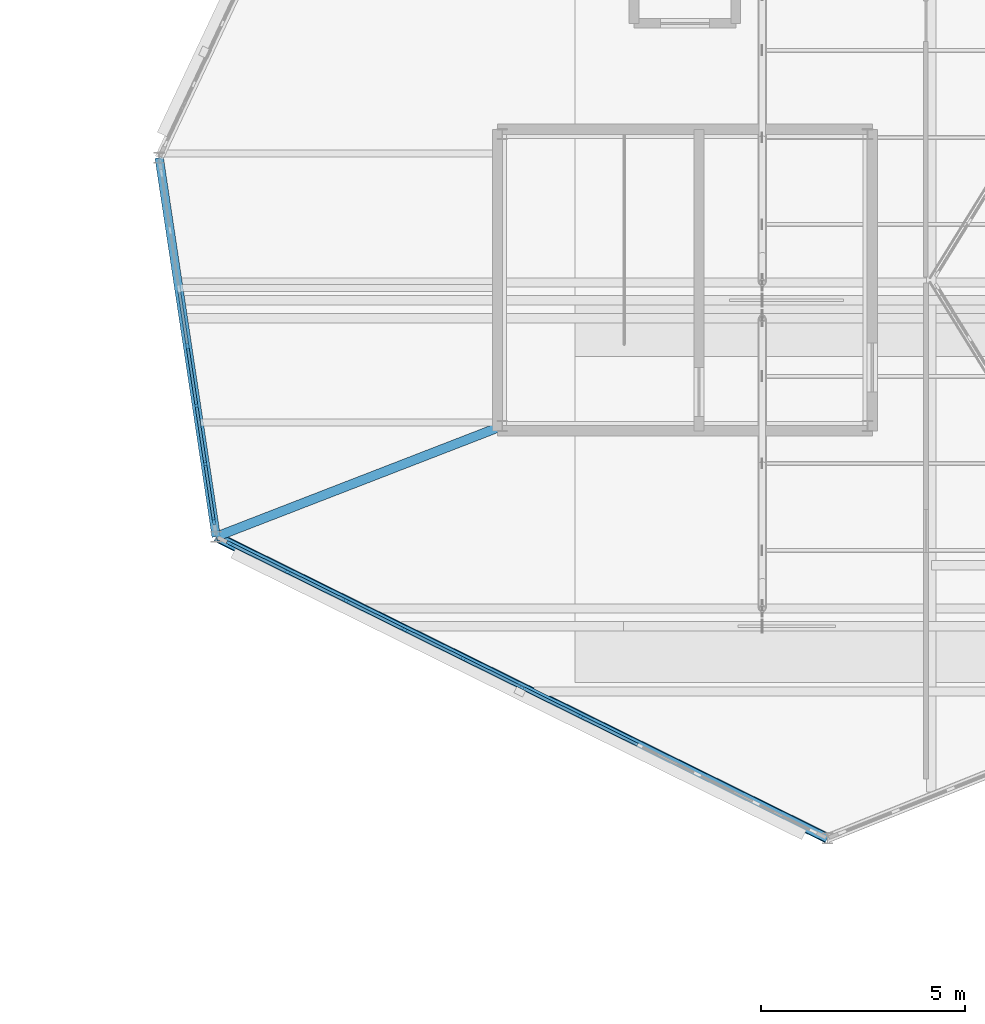
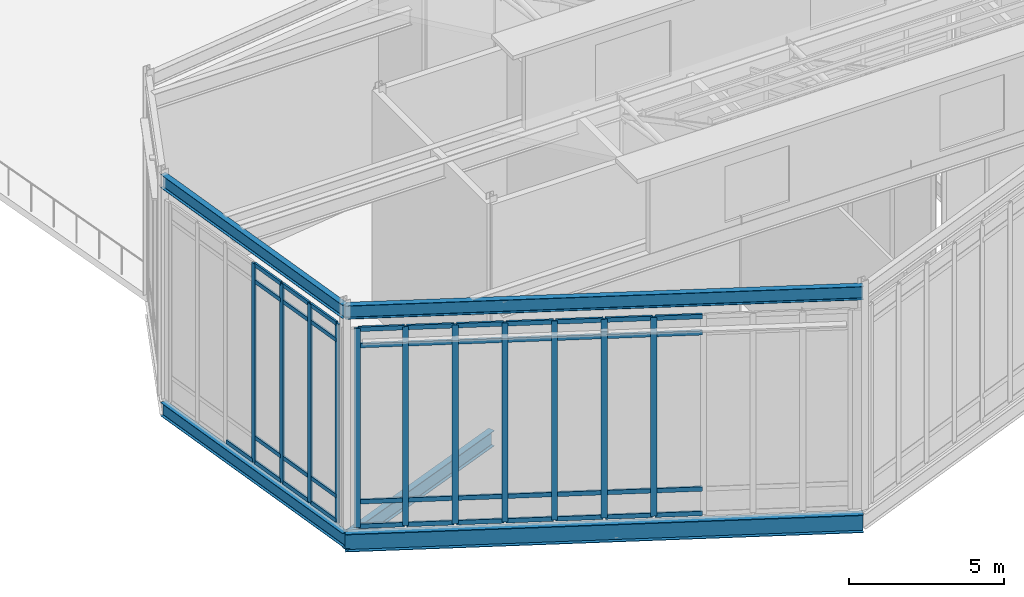
# One storey, part 9 of 66: 52 members, 5 beams, 2 elements without a shape of their own.
"""IFC4 building model written with IfcOpenShell, lengths in metres."""

from ifc_helpers import new_model, si_unit, direction, frame, origin, origin_2d, place, context, subcontext, project, spatial, rectangle, i_section, extrude, material, material_profile, profile_set, type_object, element, aggregate, save


model = new_model("IFC4")

# Units and contexts
model_context = context("Model", 3, precision=1e-05, world=origin(), true_north=direction((0.0, 1.0)))
body_context = subcontext(model_context, "Body", "Model", "MODEL_VIEW")
ifc_project = project(units=[si_unit("LENGTHUNIT", "METRE"), si_unit("AREAUNIT", "SQUARE_METRE"), si_unit("VOLUMEUNIT", "CUBIC_METRE"), si_unit("PLANEANGLEUNIT", "RADIAN"), si_unit("MASSUNIT", "GRAM", prefix="KILO")], contexts=[model_context])

# Site, building, storey
site_placement = place(None, origin())
site = spatial("IfcSite", under=ifc_project, at=site_placement, CompositionType="ELEMENT")
building_placement = place(site_placement, origin())
building = spatial("IfcBuilding", under=site, at=building_placement, Name="Tameran Prism Museum", CompositionType="ELEMENT")
storey_placement = place(building_placement, frame((0.0, 0.0, 19.800048828125)))
storey = spatial("IfcBuildingStorey", under=building, at=storey_placement, Name="L04", CompositionType="ELEMENT", Elevation=19.800048828125)

# Beams
ifc_material_1 = material(Name="Steel Grade 300PLUS (300 MPa)", Category="steel")
ifc_material_profile_1 = material_profile(ifc_material_1, i_section(OverallWidth=0.208984375, OverallDepth=0.532958984375, WebThickness=0.01025390625, FlangeThickness=0.015625, FilletRadius=0.013916015625, at=origin_2d()))
ifc_profile_set_1 = profile_set([ifc_material_profile_1])
beam_type_1 = type_object("IfcBeamType", Name="BM-SP530A", PredefinedType="SPANDREL", material=ifc_profile_set_1)
beam_1_placement = place(storey_placement, frame((49.60009765625, 39.5, -0.466552734375), z_axis=(0.148849460064, -0.988859867847, 0.0), x_axis=(0.988859867847, 0.148849460064, 0.0)))
element("IfcBeam", 1, at=beam_1_placement, inside=storey, type_object=beam_type_1, Name="Perimeter Spandrel SP-1155", PredefinedType="SPANDREL", context=body_context, shape_type="SweptSolid", body=[
    extrude(i_section(OverallWidth=0.208984375, OverallDepth=0.532958984375, WebThickness=0.01025390625, FlangeThickness=0.015625, FilletRadius=0.013916015625, at=origin_2d()), origin(), (0.0, 0.0, 1.0), 9.40478515625),
])
ifc_material_2 = material(Name="Steel Grade 300PLUS (300 MPa)", Category="steel")
ifc_material_profile_2 = material_profile(ifc_material_2, i_section(OverallWidth=0.208984375, OverallDepth=0.528076171875, WebThickness=0.009521484375, FlangeThickness=0.01318359375, FilletRadius=0.013916015625, at=origin_2d()))
ifc_profile_set_2 = profile_set([ifc_material_profile_2])
beam_type_2 = type_object("IfcBeamType", Name="BM-SP530B", PredefinedType="SPANDREL", material=ifc_profile_set_2)
beam_2_placement = place(storey_placement, frame((49.60009765625, 39.5, 8.505859375), z_axis=(0.148849460064, -0.988859867847, 0.0), x_axis=(0.988859867847, 0.148849460064, 0.0)))
element("IfcBeam", 2, at=beam_2_placement, inside=storey, type_object=beam_type_2, Name="Roof Ring Beam RB-1161", PredefinedType="SPANDREL", context=body_context, shape_type="SweptSolid", body=[
    extrude(i_section(OverallWidth=0.208984375, OverallDepth=0.528076171875, WebThickness=0.009521484375, FlangeThickness=0.01318359375, FilletRadius=0.013916015625, at=origin_2d()), origin(), (0.0, 0.0, 1.0), 9.40478515625),
])
beam_3_placement = place(storey_placement, frame((51.0, 30.199951171875, 8.505859375), z_axis=(0.896808201334, -0.44241954073, 0.0), x_axis=(0.44241954073, 0.896808201334, 0.0)))
element("IfcBeam", 3, at=beam_3_placement, inside=storey, type_object=beam_type_2, Name="Roof Ring Beam RB-1162", PredefinedType="SPANDREL", context=body_context, shape_type="SweptSolid", body=[
    extrude(i_section(OverallWidth=0.208984375, OverallDepth=0.528076171875, WebThickness=0.009521484375, FlangeThickness=0.01318359375, FilletRadius=0.013916015625, at=origin_2d()), origin(), (0.0, 0.0, 1.0), 16.72607421875),
])
ifc_material_3 = material(Name="Steel Grade 350 (350 MPa)", Category="steel")
ifc_material_profile_3 = material_profile(ifc_material_3, i_section(OverallWidth=0.25, OverallDepth=0.699951171875, WebThickness=0.010009765625, FlangeThickness=0.02001953125, at=origin_2d()))
ifc_profile_set_3 = profile_set([ifc_material_profile_3])
beam_type_3 = type_object("IfcBeamType", Name="BM-SP700", PredefinedType="SPANDREL", material=ifc_profile_set_3)
beam_4_placement = place(storey_placement, frame((51.0, 30.199951171875, -0.550048828125), z_axis=(0.896808201334, -0.44241954073, 0.0), x_axis=(0.44241954073, 0.896808201334, 0.0)))
element("IfcBeam", 4, at=beam_4_placement, inside=storey, type_object=beam_type_3, Name="Perimeter Spandrel SP-1156", PredefinedType="SPANDREL", context=body_context, shape_type="SweptSolid", body=[
    extrude(i_section(OverallWidth=0.25, OverallDepth=0.699951171875, WebThickness=0.010009765625, FlangeThickness=0.02001953125, at=origin_2d()), origin(), (0.0, 0.0, 1.0), 16.72607421875),
])
ifc_material_4 = material(Name="Steel Grade 300PLUS (300 MPa)", Category="steel")
ifc_material_profile_4 = material_profile(ifc_material_4, i_section(OverallWidth=0.22900390625, OverallDepth=0.612060546875, WebThickness=0.011962890625, FlangeThickness=0.01953125, FilletRadius=0.013916015625, at=origin_2d()))
ifc_profile_set_4 = profile_set([ifc_material_profile_4])
beam_type_4 = type_object("IfcBeamType", Name="BM-UB610A", PredefinedType="BEAM", material=ifc_profile_set_4)
beam_5_placement = place(storey_placement, frame((58.02001953125, 32.919921875, -0.56005859375), z_axis=(-0.932454302141, -0.361287938379, 0.0), x_axis=(0.361287938379, -0.932454302141, 0.0)))
element("IfcBeam", 5, at=beam_5_placement, inside=storey, type_object=beam_type_4, Name="Frame Tie Girder FG-1414", PredefinedType="BEAM", context=body_context, shape_type="SweptSolid", body=[
    extrude(i_section(OverallWidth=0.22900390625, OverallDepth=0.612060546875, WebThickness=0.011962890625, FlangeThickness=0.01953125, FilletRadius=0.013916015625, at=origin_2d()), origin(), (0.0, 0.0, 1.0), 7.528564453125),
])

# Curtain wall, members
ifc_material_5 = material(Name="Anodised Aluminium 6063-T6 and Cyclone Solar Glass", Category="aluminium")
curtain_wall_type_1 = type_object("IfcCurtainWallType", Name="CW-FAC-870x782", PredefinedType="USERDEFINED", material=ifc_material_5)
curtain_wall_1_placement = place(storey_placement, origin())
curtain_wall_1 = element("IfcCurtainWall", 6, at=curtain_wall_1_placement, inside=storey, type_object=curtain_wall_type_1, Name="Unitised Curtain Wall CW-156", ObjectType="UNITISED CURTAIN WALL", PredefinedType="USERDEFINED")
ifc_material_6 = material(Name="Anodised Aluminium Alloy 6063-T6", Category="aluminium")
ifc_material_profile_5 = material_profile(ifc_material_6, rectangle(XDim=0.070068359375, YDim=0.179931640625, at=origin_2d()))
ifc_profile_set_5 = profile_set([ifc_material_profile_5])
member_type_1 = type_object("IfcMemberType", Name="CW-MUL-B", PredefinedType="MULLION", material=ifc_profile_set_5)
member_1_placement = place(storey_placement, frame((50.94287109375, 30.58056640625, 0.0), z_axis=(0.0, 0.0, 1.0), x_axis=(-0.988855314933, -0.148879703546, 0.0)))
member_1 = element("IfcMember", 7, at=member_1_placement, type_object=member_type_1, Name="CW-156 mullion 1", PredefinedType="MULLION", context=body_context, shape_type="SweptSolid", body=[
    extrude(rectangle(XDim=0.070068359375, YDim=0.179931640625, at=origin_2d()), origin(), (0.0, 0.0, 1.0), 7.820068359375),
])
member_2_placement = place(storey_placement, frame((50.73193359375, 31.980712890625, 0.0), z_axis=(0.0, 0.0, 1.0), x_axis=(-0.988855314933, -0.148879703546, 0.0)))
member_2 = element("IfcMember", 8, at=member_2_placement, type_object=member_type_1, Name="CW-156 mullion 2", PredefinedType="MULLION", context=body_context, shape_type="SweptSolid", body=[
    extrude(rectangle(XDim=0.070068359375, YDim=0.179931640625, at=origin_2d()), origin(), (0.0, 0.0, 1.0), 7.820068359375),
])
member_3_placement = place(storey_placement, frame((50.51611328125, 33.415283203125, 0.0), z_axis=(0.0, 0.0, 1.0), x_axis=(-0.988855314933, -0.148879703546, 0.0)))
member_3 = element("IfcMember", 9, at=member_3_placement, type_object=member_type_1, Name="CW-156 mullion 3", PredefinedType="MULLION", context=body_context, shape_type="SweptSolid", body=[
    extrude(rectangle(XDim=0.070068359375, YDim=0.179931640625, at=origin_2d()), origin(), (0.0, 0.0, 1.0), 7.820068359375),
])
member_4_placement = place(storey_placement, frame((50.300048828125, 34.85009765625, 0.0), z_axis=(0.0, 0.0, 1.0), x_axis=(-0.988855314933, -0.148879703546, 0.0)))
member_4 = element("IfcMember", 10, at=member_4_placement, type_object=member_type_1, Name="CW-156 mullion 4", PredefinedType="MULLION", context=body_context, shape_type="SweptSolid", body=[
    extrude(rectangle(XDim=0.070068359375, YDim=0.179931640625, at=origin_2d()), origin(), (0.0, 0.0, 1.0), 7.820068359375),
])

ifc_material_7 = material(Name="Anodised Aluminium 6063-T6 and Cyclone Solar Glass", Category="aluminium")
curtain_wall_type_2 = type_object("IfcCurtainWallType", Name="CW-FAC-1603x782", PredefinedType="USERDEFINED", material=ifc_material_7)
curtain_wall_2_placement = place(storey_placement, origin())
curtain_wall_2 = element("IfcCurtainWall", 11, at=curtain_wall_2_placement, inside=storey, type_object=curtain_wall_type_2, Name="Unitised Curtain Wall CW-157", ObjectType="UNITISED CURTAIN WALL", PredefinedType="USERDEFINED")
ifc_material_8 = material(Name="Anodised Aluminium Alloy 6063-T6", Category="aluminium")
ifc_material_profile_6 = material_profile(ifc_material_8, rectangle(XDim=0.074951171875, YDim=0.199951171875, at=origin_2d()))
ifc_profile_set_6 = profile_set([ifc_material_profile_6])
member_type_2 = type_object("IfcMemberType", Name="CW-MUL-C", PredefinedType="MULLION", material=ifc_profile_set_6)
member_5_placement = place(storey_placement, frame((59.937255859375, 25.791015625, 0.0), z_axis=(0.0, 0.0, 1.0), x_axis=(-0.44241486846, -0.896810506275, 0.0)))
member_5 = element("IfcMember", 12, at=member_5_placement, type_object=member_type_2, Name="CW-157 mullion 5", PredefinedType="MULLION", context=body_context, shape_type="SweptSolid", body=[
    extrude(rectangle(XDim=0.074951171875, YDim=0.199951171875, at=origin_2d()), origin(), (0.0, 0.0, 1.0), 7.820068359375),
])
member_6_placement = place(storey_placement, frame((58.5, 26.5, 0.0), z_axis=(0.0, 0.0, 1.0), x_axis=(-0.44241486846, -0.896810506275, 0.0)))
member_6 = element("IfcMember", 13, at=member_6_placement, type_object=member_type_2, Name="CW-157 mullion 6", PredefinedType="MULLION", context=body_context, shape_type="SweptSolid", body=[
    extrude(rectangle(XDim=0.074951171875, YDim=0.199951171875, at=origin_2d()), origin(), (0.0, 0.0, 1.0), 7.820068359375),
])
member_7_placement = place(storey_placement, frame((57.062744140625, 27.208984375, 0.0), z_axis=(0.0, 0.0, 1.0), x_axis=(-0.44241486846, -0.896810506275, 0.0)))
member_7 = element("IfcMember", 14, at=member_7_placement, type_object=member_type_2, Name="CW-157 mullion 7", PredefinedType="MULLION", context=body_context, shape_type="SweptSolid", body=[
    extrude(rectangle(XDim=0.074951171875, YDim=0.199951171875, at=origin_2d()), origin(), (0.0, 0.0, 1.0), 7.820068359375),
])
member_8_placement = place(storey_placement, frame((55.62548828125, 27.91796875, 0.0), z_axis=(0.0, 0.0, 1.0), x_axis=(-0.44241486846, -0.896810506275, 0.0)))
member_8 = element("IfcMember", 15, at=member_8_placement, type_object=member_type_2, Name="CW-157 mullion 8", PredefinedType="MULLION", context=body_context, shape_type="SweptSolid", body=[
    extrude(rectangle(XDim=0.074951171875, YDim=0.199951171875, at=origin_2d()), origin(), (0.0, 0.0, 1.0), 7.820068359375),
])
member_9_placement = place(storey_placement, frame((54.1884765625, 28.626953125, 0.0), z_axis=(0.0, 0.0, 1.0), x_axis=(-0.44241486846, -0.896810506275, 0.0)))
member_9 = element("IfcMember", 16, at=member_9_placement, type_object=member_type_2, Name="CW-157 mullion 9", PredefinedType="MULLION", context=body_context, shape_type="SweptSolid", body=[
    extrude(rectangle(XDim=0.074951171875, YDim=0.199951171875, at=origin_2d()), origin(), (0.0, 0.0, 1.0), 7.820068359375),
])
member_10_placement = place(storey_placement, frame((52.751220703125, 29.3359375, 0.0), z_axis=(0.0, 0.0, 1.0), x_axis=(-0.44241486846, -0.896810506275, 0.0)))
member_10 = element("IfcMember", 17, at=member_10_placement, type_object=member_type_2, Name="CW-157 mullion 10", PredefinedType="MULLION", context=body_context, shape_type="SweptSolid", body=[
    extrude(rectangle(XDim=0.074951171875, YDim=0.199951171875, at=origin_2d()), origin(), (0.0, 0.0, 1.0), 7.820068359375),
])
member_11_placement = place(storey_placement, frame((51.34765625, 30.0283203125, 0.0), z_axis=(0.0, 0.0, 1.0), x_axis=(-0.44241486846, -0.896810506275, 0.0)))
member_11 = element("IfcMember", 18, at=member_11_placement, type_object=member_type_2, Name="CW-157 mullion 11", PredefinedType="MULLION", context=body_context, shape_type="SweptSolid", body=[
    extrude(rectangle(XDim=0.074951171875, YDim=0.199951171875, at=origin_2d()), origin(), (0.0, 0.0, 1.0), 7.820068359375),
])

# Member
ifc_material_9 = material(Name="Anodised Aluminium Alloy 6063-T6", Category="aluminium")
ifc_material_profile_7 = material_profile(ifc_material_9, rectangle(XDim=0.070068359375, YDim=0.155029296875, at=origin_2d()))
ifc_profile_set_7 = profile_set([ifc_material_profile_7])
member_type_3 = type_object("IfcMemberType", Name="CW-TRN-B", PredefinedType="USERDEFINED", material=ifc_profile_set_7)
member_12_placement = place(storey_placement, frame((50.9375, 30.615234375, 0.034912109375), z_axis=(-0.14875737556, 0.988873724606, 0.0), x_axis=(-0.988873724606, -0.14875737556, 0.0)))
member_12 = element("IfcMember", 19, at=member_12_placement, type_object=member_type_3, Name="CW-156 transom 1.1", ObjectType="TRANSOM", PredefinedType="USERDEFINED", context=body_context, shape_type="SweptSolid", body=[
    extrude(rectangle(XDim=0.070068359375, YDim=0.155029296875, at=origin_2d()), origin(), (0.0, 0.0, 1.0), 1.345703125),
])

member_13_placement = place(storey_placement, frame((50.9375, 30.615234375, 1.0), z_axis=(-0.14875737556, 0.988873724606, 0.0), x_axis=(-0.988873724606, -0.14875737556, 0.0)))
member_13 = element("IfcMember", 20, at=member_13_placement, type_object=member_type_3, Name="CW-156 transom 1.2", ObjectType="TRANSOM", PredefinedType="USERDEFINED", context=body_context, shape_type="SweptSolid", body=[
    extrude(rectangle(XDim=0.070068359375, YDim=0.155029296875, at=origin_2d()), origin(), (0.0, 0.0, 1.0), 1.345703125),
])

member_14_placement = place(storey_placement, frame((50.9375, 30.615234375, 7.139892578125), z_axis=(-0.14875737556, 0.988873724606, 0.0), x_axis=(-0.988873724606, -0.14875737556, 0.0)))
member_14 = element("IfcMember", 21, at=member_14_placement, type_object=member_type_3, Name="CW-156 transom 1.3", ObjectType="TRANSOM", PredefinedType="USERDEFINED", context=body_context, shape_type="SweptSolid", body=[
    extrude(rectangle(XDim=0.070068359375, YDim=0.155029296875, at=origin_2d()), origin(), (0.0, 0.0, 1.0), 1.345703125),
])

member_15_placement = place(storey_placement, frame((50.9375, 30.615234375, 7.784912109375), z_axis=(-0.14875737556, 0.988873724606, 0.0), x_axis=(-0.988873724606, -0.14875737556, 0.0)))
member_15 = element("IfcMember", 22, at=member_15_placement, type_object=member_type_3, Name="CW-156 transom 1.4", ObjectType="TRANSOM", PredefinedType="USERDEFINED", context=body_context, shape_type="SweptSolid", body=[
    extrude(rectangle(XDim=0.070068359375, YDim=0.155029296875, at=origin_2d()), origin(), (0.0, 0.0, 1.0), 1.345703125),
])

member_16_placement = place(storey_placement, frame((50.726806640625, 32.015380859375, 0.034912109375), z_axis=(-0.1488938452, 0.988853185696, 0.0), x_axis=(-0.988853185696, -0.1488938452, 0.0)))
member_16 = element("IfcMember", 23, at=member_16_placement, type_object=member_type_3, Name="CW-156 transom 2.1", ObjectType="TRANSOM", PredefinedType="USERDEFINED", context=body_context, shape_type="SweptSolid", body=[
    extrude(rectangle(XDim=0.070068359375, YDim=0.155029296875, at=origin_2d()), origin(), (0.0, 0.0, 1.0), 1.380615234375),
])

member_17_placement = place(storey_placement, frame((50.726806640625, 32.015380859375, 1.0), z_axis=(-0.1488938452, 0.988853185696, 0.0), x_axis=(-0.988853185696, -0.1488938452, 0.0)))
member_17 = element("IfcMember", 24, at=member_17_placement, type_object=member_type_3, Name="CW-156 transom 2.2", ObjectType="TRANSOM", PredefinedType="USERDEFINED", context=body_context, shape_type="SweptSolid", body=[
    extrude(rectangle(XDim=0.070068359375, YDim=0.155029296875, at=origin_2d()), origin(), (0.0, 0.0, 1.0), 1.380615234375),
])

member_18_placement = place(storey_placement, frame((50.726806640625, 32.015380859375, 7.139892578125), z_axis=(-0.1488938452, 0.988853185696, 0.0), x_axis=(-0.988853185696, -0.1488938452, 0.0)))
member_18 = element("IfcMember", 25, at=member_18_placement, type_object=member_type_3, Name="CW-156 transom 2.3", ObjectType="TRANSOM", PredefinedType="USERDEFINED", context=body_context, shape_type="SweptSolid", body=[
    extrude(rectangle(XDim=0.070068359375, YDim=0.155029296875, at=origin_2d()), origin(), (0.0, 0.0, 1.0), 1.380615234375),
])

member_19_placement = place(storey_placement, frame((50.726806640625, 32.015380859375, 7.784912109375), z_axis=(-0.1488938452, 0.988853185696, 0.0), x_axis=(-0.988853185696, -0.1488938452, 0.0)))
member_19 = element("IfcMember", 26, at=member_19_placement, type_object=member_type_3, Name="CW-156 transom 2.4", ObjectType="TRANSOM", PredefinedType="USERDEFINED", context=body_context, shape_type="SweptSolid", body=[
    extrude(rectangle(XDim=0.070068359375, YDim=0.155029296875, at=origin_2d()), origin(), (0.0, 0.0, 1.0), 1.380615234375),
])

member_20_placement = place(storey_placement, frame((50.5107421875, 33.449951171875, 0.034912109375), z_axis=(-0.148867813763, 0.988857104958, 0.0), x_axis=(-0.988857104958, -0.148867813763, 0.0)))
member_20 = element("IfcMember", 27, at=member_20_placement, type_object=member_type_3, Name="CW-156 transom 3.1", ObjectType="TRANSOM", PredefinedType="USERDEFINED", context=body_context, shape_type="SweptSolid", body=[
    extrude(rectangle(XDim=0.070068359375, YDim=0.155029296875, at=origin_2d()), origin(), (0.0, 0.0, 1.0), 1.380859375),
])

member_21_placement = place(storey_placement, frame((50.5107421875, 33.449951171875, 1.0), z_axis=(-0.148867813763, 0.988857104958, 0.0), x_axis=(-0.988857104958, -0.148867813763, 0.0)))
member_21 = element("IfcMember", 28, at=member_21_placement, type_object=member_type_3, Name="CW-156 transom 3.2", ObjectType="TRANSOM", PredefinedType="USERDEFINED", context=body_context, shape_type="SweptSolid", body=[
    extrude(rectangle(XDim=0.070068359375, YDim=0.155029296875, at=origin_2d()), origin(), (0.0, 0.0, 1.0), 1.380859375),
])

member_22_placement = place(storey_placement, frame((50.5107421875, 33.449951171875, 7.139892578125), z_axis=(-0.148867813763, 0.988857104958, 0.0), x_axis=(-0.988857104958, -0.148867813763, 0.0)))
member_22 = element("IfcMember", 29, at=member_22_placement, type_object=member_type_3, Name="CW-156 transom 3.3", ObjectType="TRANSOM", PredefinedType="USERDEFINED", context=body_context, shape_type="SweptSolid", body=[
    extrude(rectangle(XDim=0.070068359375, YDim=0.155029296875, at=origin_2d()), origin(), (0.0, 0.0, 1.0), 1.380859375),
])

member_23_placement = place(storey_placement, frame((50.5107421875, 33.449951171875, 7.784912109375), z_axis=(-0.148867813763, 0.988857104958, 0.0), x_axis=(-0.988857104958, -0.148867813763, 0.0)))
member_23 = element("IfcMember", 30, at=member_23_placement, type_object=member_type_3, Name="CW-156 transom 3.4", ObjectType="TRANSOM", PredefinedType="USERDEFINED", context=body_context, shape_type="SweptSolid", body=[
    extrude(rectangle(XDim=0.070068359375, YDim=0.155029296875, at=origin_2d()), origin(), (0.0, 0.0, 1.0), 1.380859375),
])

member_24_placement = place(storey_placement, frame((50.294677734375, 34.884521484375, 0.034912109375), z_axis=(-0.148867813763, 0.988857104958, 0.0), x_axis=(-0.988857104958, -0.148867813763, 0.0)))
member_24 = element("IfcMember", 31, at=member_24_placement, type_object=member_type_3, Name="CW-156 transom 4.1", ObjectType="TRANSOM", PredefinedType="USERDEFINED", context=body_context, shape_type="SweptSolid", body=[
    extrude(rectangle(XDim=0.070068359375, YDim=0.155029296875, at=origin_2d()), origin(), (0.0, 0.0, 1.0), 1.380859375),
])

aggregate(curtain_wall_1, [member_1, member_2, member_3, member_4, member_12, member_13, member_14, member_15, member_16, member_17, member_18, member_19, member_20, member_21, member_22, member_23, member_24])

ifc_material_10 = material(Name="Anodised Aluminium Alloy 6063-T6", Category="aluminium")
ifc_material_profile_8 = material_profile(ifc_material_10, rectangle(XDim=0.074951171875, YDim=0.175048828125, at=origin_2d()))
ifc_profile_set_8 = profile_set([ifc_material_profile_8])
member_type_4 = type_object("IfcMemberType", Name="CW-TRN-C", PredefinedType="USERDEFINED", material=ifc_profile_set_8)
member_25_placement = place(storey_placement, frame((61.3408203125, 25.0986328125, 0.037353515625), z_axis=(-0.896811803515, 0.44241223884, 0.0), x_axis=(-0.44241223884, -0.896811803515, 0.0)))
member_25 = element("IfcMember", 32, at=member_25_placement, type_object=member_type_4, Name="CW-157 transom 4.1", ObjectType="TRANSOM", PredefinedType="USERDEFINED", context=body_context, shape_type="SweptSolid", body=[
    extrude(rectangle(XDim=0.074951171875, YDim=0.175048828125, at=origin_2d()), origin(), (0.0, 0.0, 1.0), 1.527587890625),
])

member_26_placement = place(storey_placement, frame((61.3408203125, 25.0986328125, 1.0), z_axis=(-0.896811803515, 0.44241223884, 0.0), x_axis=(-0.44241223884, -0.896811803515, 0.0)))
member_26 = element("IfcMember", 33, at=member_26_placement, type_object=member_type_4, Name="CW-157 transom 4.2", ObjectType="TRANSOM", PredefinedType="USERDEFINED", context=body_context, shape_type="SweptSolid", body=[
    extrude(rectangle(XDim=0.074951171875, YDim=0.175048828125, at=origin_2d()), origin(), (0.0, 0.0, 1.0), 1.527587890625),
])

member_27_placement = place(storey_placement, frame((61.3408203125, 25.0986328125, 7.139892578125), z_axis=(-0.896811803515, 0.44241223884, 0.0), x_axis=(-0.44241223884, -0.896811803515, 0.0)))
member_27 = element("IfcMember", 34, at=member_27_placement, type_object=member_type_4, Name="CW-157 transom 4.3", ObjectType="TRANSOM", PredefinedType="USERDEFINED", context=body_context, shape_type="SweptSolid", body=[
    extrude(rectangle(XDim=0.074951171875, YDim=0.175048828125, at=origin_2d()), origin(), (0.0, 0.0, 1.0), 1.527587890625),
])

member_28_placement = place(storey_placement, frame((61.3408203125, 25.0986328125, 7.782470703125), z_axis=(-0.896811803515, 0.44241223884, 0.0), x_axis=(-0.44241223884, -0.896811803515, 0.0)))
member_28 = element("IfcMember", 35, at=member_28_placement, type_object=member_type_4, Name="CW-157 transom 4.4", ObjectType="TRANSOM", PredefinedType="USERDEFINED", context=body_context, shape_type="SweptSolid", body=[
    extrude(rectangle(XDim=0.074951171875, YDim=0.175048828125, at=origin_2d()), origin(), (0.0, 0.0, 1.0), 1.527587890625),
])

member_29_placement = place(storey_placement, frame((59.903564453125, 25.8076171875, 0.037353515625), z_axis=(-0.896811803515, 0.44241223884, 0.0), x_axis=(-0.44241223884, -0.896811803515, 0.0)))
member_29 = element("IfcMember", 36, at=member_29_placement, type_object=member_type_4, Name="CW-157 transom 5.1", ObjectType="TRANSOM", PredefinedType="USERDEFINED", context=body_context, shape_type="SweptSolid", body=[
    extrude(rectangle(XDim=0.074951171875, YDim=0.175048828125, at=origin_2d()), origin(), (0.0, 0.0, 1.0), 1.527587890625),
])

member_30_placement = place(storey_placement, frame((59.903564453125, 25.8076171875, 1.0), z_axis=(-0.896811803515, 0.44241223884, 0.0), x_axis=(-0.44241223884, -0.896811803515, 0.0)))
member_30 = element("IfcMember", 37, at=member_30_placement, type_object=member_type_4, Name="CW-157 transom 5.2", ObjectType="TRANSOM", PredefinedType="USERDEFINED", context=body_context, shape_type="SweptSolid", body=[
    extrude(rectangle(XDim=0.074951171875, YDim=0.175048828125, at=origin_2d()), origin(), (0.0, 0.0, 1.0), 1.527587890625),
])

member_31_placement = place(storey_placement, frame((59.903564453125, 25.8076171875, 7.139892578125), z_axis=(-0.896811803515, 0.44241223884, 0.0), x_axis=(-0.44241223884, -0.896811803515, 0.0)))
member_31 = element("IfcMember", 38, at=member_31_placement, type_object=member_type_4, Name="CW-157 transom 5.3", ObjectType="TRANSOM", PredefinedType="USERDEFINED", context=body_context, shape_type="SweptSolid", body=[
    extrude(rectangle(XDim=0.074951171875, YDim=0.175048828125, at=origin_2d()), origin(), (0.0, 0.0, 1.0), 1.527587890625),
])

member_32_placement = place(storey_placement, frame((59.903564453125, 25.8076171875, 7.782470703125), z_axis=(-0.896811803515, 0.44241223884, 0.0), x_axis=(-0.44241223884, -0.896811803515, 0.0)))
member_32 = element("IfcMember", 39, at=member_32_placement, type_object=member_type_4, Name="CW-157 transom 5.4", ObjectType="TRANSOM", PredefinedType="USERDEFINED", context=body_context, shape_type="SweptSolid", body=[
    extrude(rectangle(XDim=0.074951171875, YDim=0.175048828125, at=origin_2d()), origin(), (0.0, 0.0, 1.0), 1.527587890625),
])

member_33_placement = place(storey_placement, frame((58.46630859375, 26.5166015625, 0.037353515625), z_axis=(-0.896811803515, 0.44241223884, 0.0), x_axis=(-0.44241223884, -0.896811803515, 0.0)))
member_33 = element("IfcMember", 40, at=member_33_placement, type_object=member_type_4, Name="CW-157 transom 6.1", ObjectType="TRANSOM", PredefinedType="USERDEFINED", context=body_context, shape_type="SweptSolid", body=[
    extrude(rectangle(XDim=0.074951171875, YDim=0.175048828125, at=origin_2d()), origin(), (0.0, 0.0, 1.0), 1.527587890625),
])

member_34_placement = place(storey_placement, frame((58.46630859375, 26.5166015625, 1.0), z_axis=(-0.896811803515, 0.44241223884, 0.0), x_axis=(-0.44241223884, -0.896811803515, 0.0)))
member_34 = element("IfcMember", 41, at=member_34_placement, type_object=member_type_4, Name="CW-157 transom 6.2", ObjectType="TRANSOM", PredefinedType="USERDEFINED", context=body_context, shape_type="SweptSolid", body=[
    extrude(rectangle(XDim=0.074951171875, YDim=0.175048828125, at=origin_2d()), origin(), (0.0, 0.0, 1.0), 1.527587890625),
])

member_35_placement = place(storey_placement, frame((58.46630859375, 26.5166015625, 7.139892578125), z_axis=(-0.896811803515, 0.44241223884, 0.0), x_axis=(-0.44241223884, -0.896811803515, 0.0)))
member_35 = element("IfcMember", 42, at=member_35_placement, type_object=member_type_4, Name="CW-157 transom 6.3", ObjectType="TRANSOM", PredefinedType="USERDEFINED", context=body_context, shape_type="SweptSolid", body=[
    extrude(rectangle(XDim=0.074951171875, YDim=0.175048828125, at=origin_2d()), origin(), (0.0, 0.0, 1.0), 1.527587890625),
])

member_36_placement = place(storey_placement, frame((58.46630859375, 26.5166015625, 7.782470703125), z_axis=(-0.896811803515, 0.44241223884, 0.0), x_axis=(-0.44241223884, -0.896811803515, 0.0)))
member_36 = element("IfcMember", 43, at=member_36_placement, type_object=member_type_4, Name="CW-157 transom 6.4", ObjectType="TRANSOM", PredefinedType="USERDEFINED", context=body_context, shape_type="SweptSolid", body=[
    extrude(rectangle(XDim=0.074951171875, YDim=0.175048828125, at=origin_2d()), origin(), (0.0, 0.0, 1.0), 1.527587890625),
])

member_37_placement = place(storey_placement, frame((57.029052734375, 27.2255859375, 0.037353515625), z_axis=(-0.896811803515, 0.44241223884, 0.0), x_axis=(-0.44241223884, -0.896811803515, 0.0)))
member_37 = element("IfcMember", 44, at=member_37_placement, type_object=member_type_4, Name="CW-157 transom 7.1", ObjectType="TRANSOM", PredefinedType="USERDEFINED", context=body_context, shape_type="SweptSolid", body=[
    extrude(rectangle(XDim=0.074951171875, YDim=0.175048828125, at=origin_2d()), origin(), (0.0, 0.0, 1.0), 1.527587890625),
])

member_38_placement = place(storey_placement, frame((57.029052734375, 27.2255859375, 1.0), z_axis=(-0.896811803515, 0.44241223884, 0.0), x_axis=(-0.44241223884, -0.896811803515, 0.0)))
member_38 = element("IfcMember", 45, at=member_38_placement, type_object=member_type_4, Name="CW-157 transom 7.2", ObjectType="TRANSOM", PredefinedType="USERDEFINED", context=body_context, shape_type="SweptSolid", body=[
    extrude(rectangle(XDim=0.074951171875, YDim=0.175048828125, at=origin_2d()), origin(), (0.0, 0.0, 1.0), 1.527587890625),
])

member_39_placement = place(storey_placement, frame((57.029052734375, 27.2255859375, 7.139892578125), z_axis=(-0.896811803515, 0.44241223884, 0.0), x_axis=(-0.44241223884, -0.896811803515, 0.0)))
member_39 = element("IfcMember", 46, at=member_39_placement, type_object=member_type_4, Name="CW-157 transom 7.3", ObjectType="TRANSOM", PredefinedType="USERDEFINED", context=body_context, shape_type="SweptSolid", body=[
    extrude(rectangle(XDim=0.074951171875, YDim=0.175048828125, at=origin_2d()), origin(), (0.0, 0.0, 1.0), 1.527587890625),
])

member_40_placement = place(storey_placement, frame((57.029052734375, 27.2255859375, 7.782470703125), z_axis=(-0.896811803515, 0.44241223884, 0.0), x_axis=(-0.44241223884, -0.896811803515, 0.0)))
member_40 = element("IfcMember", 47, at=member_40_placement, type_object=member_type_4, Name="CW-157 transom 7.4", ObjectType="TRANSOM", PredefinedType="USERDEFINED", context=body_context, shape_type="SweptSolid", body=[
    extrude(rectangle(XDim=0.074951171875, YDim=0.175048828125, at=origin_2d()), origin(), (0.0, 0.0, 1.0), 1.527587890625),
])

member_41_placement = place(storey_placement, frame((55.592041015625, 27.9345703125, 0.037353515625), z_axis=(-0.896843080289, 0.442348832188, 0.0), x_axis=(-0.442348832188, -0.896843080289, 0.0)))
member_41 = element("IfcMember", 48, at=member_41_placement, type_object=member_type_4, Name="CW-157 transom 8.1", ObjectType="TRANSOM", PredefinedType="USERDEFINED", context=body_context, shape_type="SweptSolid", body=[
    extrude(rectangle(XDim=0.074951171875, YDim=0.175048828125, at=origin_2d()), origin(), (0.0, 0.0, 1.0), 1.52783203125),
])

member_42_placement = place(storey_placement, frame((55.592041015625, 27.9345703125, 1.0), z_axis=(-0.896843080289, 0.442348832188, 0.0), x_axis=(-0.442348832188, -0.896843080289, 0.0)))
member_42 = element("IfcMember", 49, at=member_42_placement, type_object=member_type_4, Name="CW-157 transom 8.2", ObjectType="TRANSOM", PredefinedType="USERDEFINED", context=body_context, shape_type="SweptSolid", body=[
    extrude(rectangle(XDim=0.074951171875, YDim=0.175048828125, at=origin_2d()), origin(), (0.0, 0.0, 1.0), 1.52783203125),
])

member_43_placement = place(storey_placement, frame((55.592041015625, 27.9345703125, 7.139892578125), z_axis=(-0.896843080289, 0.442348832188, 0.0), x_axis=(-0.442348832188, -0.896843080289, 0.0)))
member_43 = element("IfcMember", 50, at=member_43_placement, type_object=member_type_4, Name="CW-157 transom 8.3", ObjectType="TRANSOM", PredefinedType="USERDEFINED", context=body_context, shape_type="SweptSolid", body=[
    extrude(rectangle(XDim=0.074951171875, YDim=0.175048828125, at=origin_2d()), origin(), (0.0, 0.0, 1.0), 1.52783203125),
])

member_44_placement = place(storey_placement, frame((55.592041015625, 27.9345703125, 7.782470703125), z_axis=(-0.896843080289, 0.442348832188, 0.0), x_axis=(-0.442348832188, -0.896843080289, 0.0)))
member_44 = element("IfcMember", 51, at=member_44_placement, type_object=member_type_4, Name="CW-157 transom 8.4", ObjectType="TRANSOM", PredefinedType="USERDEFINED", context=body_context, shape_type="SweptSolid", body=[
    extrude(rectangle(XDim=0.074951171875, YDim=0.175048828125, at=origin_2d()), origin(), (0.0, 0.0, 1.0), 1.52783203125),
])

member_45_placement = place(storey_placement, frame((54.15478515625, 28.6435546875, 0.037353515625), z_axis=(-0.896811803515, 0.44241223884, 0.0), x_axis=(-0.44241223884, -0.896811803515, 0.0)))
member_45 = element("IfcMember", 52, at=member_45_placement, type_object=member_type_4, Name="CW-157 transom 9.1", ObjectType="TRANSOM", PredefinedType="USERDEFINED", context=body_context, shape_type="SweptSolid", body=[
    extrude(rectangle(XDim=0.074951171875, YDim=0.175048828125, at=origin_2d()), origin(), (0.0, 0.0, 1.0), 1.527587890625),
])

member_46_placement = place(storey_placement, frame((54.15478515625, 28.6435546875, 1.0), z_axis=(-0.896811803515, 0.44241223884, 0.0), x_axis=(-0.44241223884, -0.896811803515, 0.0)))
member_46 = element("IfcMember", 53, at=member_46_placement, type_object=member_type_4, Name="CW-157 transom 9.2", ObjectType="TRANSOM", PredefinedType="USERDEFINED", context=body_context, shape_type="SweptSolid", body=[
    extrude(rectangle(XDim=0.074951171875, YDim=0.175048828125, at=origin_2d()), origin(), (0.0, 0.0, 1.0), 1.527587890625),
])

member_47_placement = place(storey_placement, frame((54.15478515625, 28.6435546875, 7.139892578125), z_axis=(-0.896811803515, 0.44241223884, 0.0), x_axis=(-0.44241223884, -0.896811803515, 0.0)))
member_47 = element("IfcMember", 54, at=member_47_placement, type_object=member_type_4, Name="CW-157 transom 9.3", ObjectType="TRANSOM", PredefinedType="USERDEFINED", context=body_context, shape_type="SweptSolid", body=[
    extrude(rectangle(XDim=0.074951171875, YDim=0.175048828125, at=origin_2d()), origin(), (0.0, 0.0, 1.0), 1.527587890625),
])

member_48_placement = place(storey_placement, frame((54.15478515625, 28.6435546875, 7.782470703125), z_axis=(-0.896811803515, 0.44241223884, 0.0), x_axis=(-0.44241223884, -0.896811803515, 0.0)))
member_48 = element("IfcMember", 55, at=member_48_placement, type_object=member_type_4, Name="CW-157 transom 9.4", ObjectType="TRANSOM", PredefinedType="USERDEFINED", context=body_context, shape_type="SweptSolid", body=[
    extrude(rectangle(XDim=0.074951171875, YDim=0.175048828125, at=origin_2d()), origin(), (0.0, 0.0, 1.0), 1.527587890625),
])

member_49_placement = place(storey_placement, frame((52.717529296875, 29.3525390625, 0.037353515625), z_axis=(-0.896806751634, 0.442422479337, 0.0), x_axis=(-0.442422479337, -0.896806751634, 0.0)))
member_49 = element("IfcMember", 56, at=member_49_placement, type_object=member_type_4, Name="CW-157 transom 10.1", ObjectType="TRANSOM", PredefinedType="USERDEFINED", context=body_context, shape_type="SweptSolid", body=[
    extrude(rectangle(XDim=0.074951171875, YDim=0.175048828125, at=origin_2d()), origin(), (0.0, 0.0, 1.0), 1.489990234375),
])

member_50_placement = place(storey_placement, frame((52.717529296875, 29.3525390625, 1.0), z_axis=(-0.896806751634, 0.442422479337, 0.0), x_axis=(-0.442422479337, -0.896806751634, 0.0)))
member_50 = element("IfcMember", 57, at=member_50_placement, type_object=member_type_4, Name="CW-157 transom 10.2", ObjectType="TRANSOM", PredefinedType="USERDEFINED", context=body_context, shape_type="SweptSolid", body=[
    extrude(rectangle(XDim=0.074951171875, YDim=0.175048828125, at=origin_2d()), origin(), (0.0, 0.0, 1.0), 1.489990234375),
])

member_51_placement = place(storey_placement, frame((52.717529296875, 29.3525390625, 7.139892578125), z_axis=(-0.896806751634, 0.442422479337, 0.0), x_axis=(-0.442422479337, -0.896806751634, 0.0)))
member_51 = element("IfcMember", 58, at=member_51_placement, type_object=member_type_4, Name="CW-157 transom 10.3", ObjectType="TRANSOM", PredefinedType="USERDEFINED", context=body_context, shape_type="SweptSolid", body=[
    extrude(rectangle(XDim=0.074951171875, YDim=0.175048828125, at=origin_2d()), origin(), (0.0, 0.0, 1.0), 1.489990234375),
])

member_52_placement = place(storey_placement, frame((52.717529296875, 29.3525390625, 7.782470703125), z_axis=(-0.896806751634, 0.442422479337, 0.0), x_axis=(-0.442422479337, -0.896806751634, 0.0)))
member_52 = element("IfcMember", 59, at=member_52_placement, type_object=member_type_4, Name="CW-157 transom 10.4", ObjectType="TRANSOM", PredefinedType="USERDEFINED", context=body_context, shape_type="SweptSolid", body=[
    extrude(rectangle(XDim=0.074951171875, YDim=0.175048828125, at=origin_2d()), origin(), (0.0, 0.0, 1.0), 1.489990234375),
])

aggregate(curtain_wall_2, [member_5, member_6, member_7, member_8, member_9, member_10, member_11, member_25, member_26, member_27, member_28, member_29, member_30, member_31, member_32, member_33, member_34, member_35, member_36, member_37, member_38, member_39, member_40, member_41, member_42, member_43, member_44, member_45, member_46, member_47, member_48, member_49, member_50, member_51, member_52])

save(model, "model.ifc")
